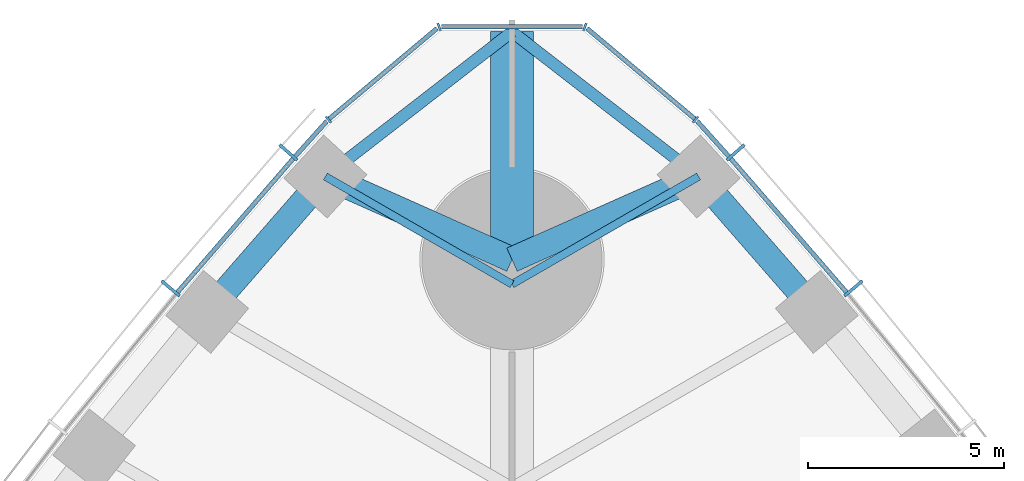
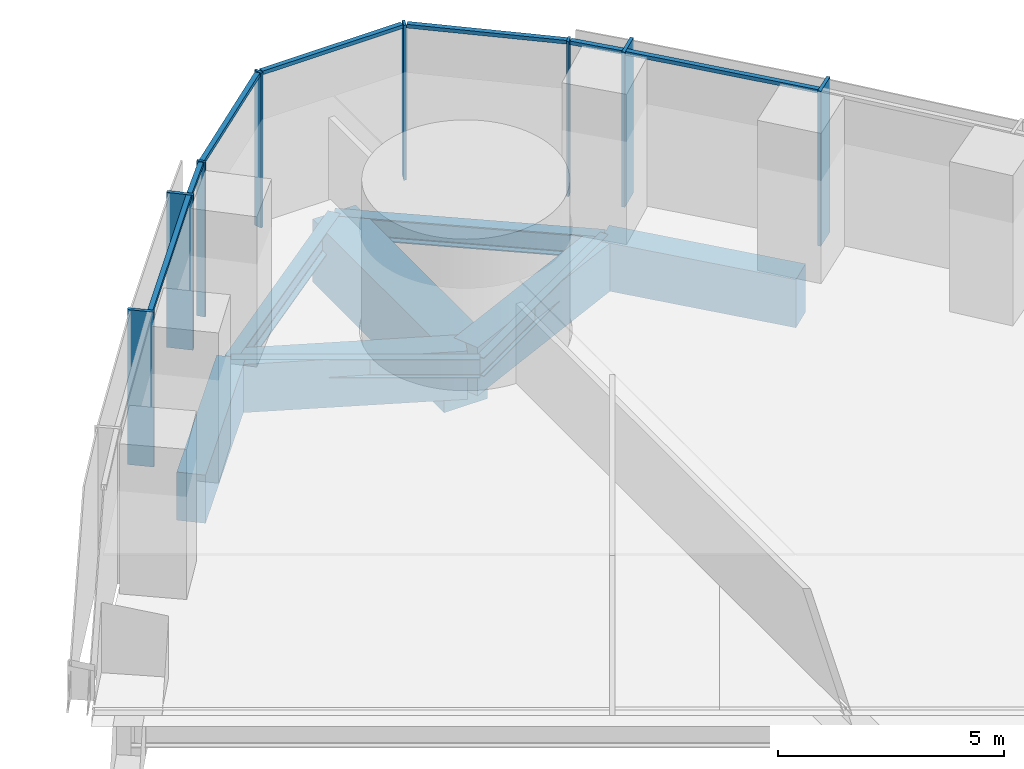
# One storey, part 7 of 18: 15 members, 9 beams, 3 elements without a shape of their own.
"""IFC4 building model written with IfcOpenShell, lengths in metres."""

import ifcopenshell
import ifcopenshell.guid

model = None  # the IFC model being written
_history = None  # IfcOwnerHistory: only IFC2X3 demands one
_inside = {}  # id of a spatial element -> (the spatial element, [elements in it])
_under = {}  # id of a project, library or spatial element -> (it, [spatial elements below it])
_declared = {}  # id of a project -> (the project, [libraries it declares])
_typed = {}  # id of a type object -> (the type object, [elements of that type])
_made_of = {}  # id of a material, layer set ... -> (it, [elements and type objects made of it])


def new_model(schema):
    """Start an empty IFC model of exactly this schema.

    Asked for "IFC4X3", IfcOpenShell would pick the latest addendum, in which some entities
    have other attributes; the version numbers below select the first issue.
    IFC2X3 requires an IfcOwnerHistory on every rooted entity: one is made here for all.
    """
    global model, _history
    if schema == "IFC4X3":
        model = ifcopenshell.file(schema_version=(4, 3, 0, 0))
    else:
        model = ifcopenshell.file(schema=schema)
    _inside.clear()
    _under.clear()
    _declared.clear()
    _typed.clear()
    _made_of.clear()
    _history = None
    if model.schema == "IFC2X3":
        org = make("IfcOrganization", Name="unknown")
        user = make(
            "IfcPersonAndOrganization",
            ThePerson=make("IfcPerson", FamilyName="unknown"),
            TheOrganization=org,
        )
        app = make(
            "IfcApplication",
            ApplicationDeveloper=org,
            Version="unknown",
            ApplicationFullName="unknown",
            ApplicationIdentifier="unknown",
        )
        _history = make(
            "IfcOwnerHistory",
            OwningUser=user,
            OwningApplication=app,
            ChangeAction="ADDED",
            CreationDate=0,
        )
    return model


def make(cls, **values):
    """One entity of the class cls with the attributes given. An attribute that is None is left unset."""
    return model.create_entity(
        cls, **{name: value for name, value in values.items() if value is not None}
    )


def rooted(cls, **values):
    """An entity with a GlobalId (a new one), such as an element, a storey or a relation."""
    return make(cls, GlobalId=ifcopenshell.guid.new(), OwnerHistory=_history, **values)


def si_unit(unit_type, name, prefix=None):
    """IfcSIUnit, for example si_unit("LENGTHUNIT", "METRE", prefix="MILLI")."""
    return make("IfcSIUnit", UnitType=unit_type, Prefix=prefix, Name=name)


def assignment(units):
    """IfcUnitAssignment: the units of a project."""
    return None if units is None else make("IfcUnitAssignment", Units=units)


def point(xyz):
    """IfcCartesianPoint."""
    return None if xyz is None else make("IfcCartesianPoint", Coordinates=xyz)


def direction(xyz):
    """IfcDirection."""
    return None if xyz is None else make("IfcDirection", DirectionRatios=xyz)


def frame(location, z_axis=None, x_axis=None):
    """IfcAxis2Placement3D, a coordinate frame: its origin and axes. An axis left out is left unset."""
    return make(
        "IfcAxis2Placement3D",
        Location=point(location),
        Axis=direction(z_axis),
        RefDirection=direction(x_axis),
    )


def frame_2d(location, x_axis=None):
    """IfcAxis2Placement2D, a coordinate frame in the plane: its origin and x axis."""
    return make(
        "IfcAxis2Placement2D", Location=point(location), RefDirection=direction(x_axis)
    )


def origin():
    """The frame at (0, 0, 0) with its axes left unset."""
    return frame((0.0, 0.0, 0.0))


def origin_2d():
    """The frame at (0, 0) in the plane with its x axis left unset."""
    return frame_2d((0.0, 0.0))


def place(relative_to, where):
    """IfcLocalPlacement: puts the frame where relative to a parent placement (None: the world)."""
    return make(
        "IfcLocalPlacement", PlacementRelTo=relative_to, RelativePlacement=where
    )


def context(
    kind, dimensions, precision=None, world=None, true_north=None, identifier=None
):
    """IfcGeometricRepresentationContext, for example the 3D "Model" context."""
    return make(
        "IfcGeometricRepresentationContext",
        ContextIdentifier=identifier,
        ContextType=kind,
        CoordinateSpaceDimension=dimensions,
        Precision=precision,
        WorldCoordinateSystem=world,
        TrueNorth=true_north,
    )


def subcontext(parent, identifier, kind, view, scale=None):
    """IfcGeometricRepresentationSubContext, for example "Body" below "Model"."""
    return make(
        "IfcGeometricRepresentationSubContext",
        ContextIdentifier=identifier,
        ContextType=kind,
        ParentContext=parent,
        TargetScale=scale,
        TargetView=view,
    )


def project(units=None, contexts=None):
    """IfcProject with its units and contexts."""
    return rooted(
        "IfcProject",
        Name="project",
        RepresentationContexts=contexts,
        UnitsInContext=assignment(units),
    )


def spatial(cls, under=None, at=None, **own):
    """A site, building, storey or space (cls), placed at a placement, below another one or the project."""
    s = rooted(cls, ObjectPlacement=at, **own)
    if under is not None:
        _under.setdefault(under.id(), (under, []))[1].append(s)
    return s


def profile(cls, at=None, kind="AREA", **sizes):
    """A parametric profile (cls). Its sizes go by their IFC names, for example OverallWidth=200.0."""
    return make(cls, ProfileType=kind, Position=at, **sizes)


def rectangle(**sizes):
    """IfcRectangleProfileDef."""
    return profile("IfcRectangleProfileDef", **sizes)


def i_section(**sizes):
    """IfcIShapeProfileDef."""
    return profile("IfcIShapeProfileDef", **sizes)


def extrude(swept, where, along, depth):
    """IfcExtrudedAreaSolid: the profile swept, set in the frame where, extruded along a direction by depth."""
    return make(
        "IfcExtrudedAreaSolid",
        SweptArea=swept,
        Position=where,
        ExtrudedDirection=direction(along),
        Depth=depth,
    )


def shape(context_of_items, identifier, shape_type, items):
    """IfcShapeRepresentation: the items that make up one representation, for example the "Body"."""
    return make(
        "IfcShapeRepresentation",
        ContextOfItems=context_of_items,
        RepresentationIdentifier=identifier,
        RepresentationType=shape_type,
        Items=items,
    )


def material(Name=None, Category=None):
    """IfcMaterial."""
    return make("IfcMaterial", Name=Name, Category=Category)


def material_profile(
    of_material, cross_section, Name=None, Category=None, Priority=None
):
    """IfcMaterialProfile: a cross section and its material."""
    return make(
        "IfcMaterialProfile",
        Name=Name,
        Material=of_material,
        Profile=cross_section,
        Priority=Priority,
        Category=Category,
    )


def profile_set(profiles, Name=None, composite=None):
    """IfcMaterialProfileSet."""
    return make(
        "IfcMaterialProfileSet",
        Name=Name,
        MaterialProfiles=profiles,
        CompositeProfile=composite,
    )


def made_of(thing, what):
    """Note that an element or type object is made of a material, layer set ...; save() writes the relation."""
    if what is not None:
        _made_of.setdefault(what.id(), (what, []))[1].append(thing)
    return thing


def type_object(cls, material=None, **own):
    """A type object (cls), such as IfcWallType, which elements share."""
    return made_of(rooted(cls, **own), material)


def element(
    cls,
    number,
    at=None,
    inside=None,
    cuts=None,
    type_object=None,
    material=None,
    context=None,
    identifier="Body",
    shape_type=None,
    held_by="IfcProductDefinitionShape",
    body=None,
    shapes=None,
    **own,
):
    """One element of the class cls, such as IfcWall. Its Tag is "e" and its number.

    at: its placement. inside: the storey or other place that contains it. cuts: it is an
    opening in that element (IfcRelVoidsElement). A single representation is given by context,
    identifier, shape_type and body (its items); several are given by shapes. held_by: the class
    of the entity that holds the representations. save() writes the other relations.
    """
    e = rooted(cls, Tag="e%d" % number, ObjectPlacement=at, **own)
    if body is not None:
        shapes = [shape(context, identifier, shape_type, body)]
    if shapes is not None:
        e.Representation = make(held_by, Representations=shapes)
    if inside is not None:
        _inside.setdefault(inside.id(), (inside, []))[1].append(e)
    if cuts is not None:
        rooted(
            "IfcRelVoidsElement", RelatingBuildingElement=cuts, RelatedOpeningElement=e
        )
    if type_object is not None:
        _typed.setdefault(type_object.id(), (type_object, []))[1].append(e)
    return made_of(e, material)


def aggregate(whole, parts):
    """IfcRelAggregates: a whole, such as a stair, and the parts it consists of."""
    return rooted("IfcRelAggregates", RelatingObject=whole, RelatedObjects=parts)


def save(model, path):
    """Write the relations noted so far, then the file.

    IfcRelAggregates (storeys below a building ...), IfcRelContainedInSpatialStructure (elements
    in a storey), IfcRelDefinesByType, IfcRelAssociatesMaterial and IfcRelDeclares: one each for
    every whole, place, type object, material and project.
    """
    for whole, parts in _under.values():
        aggregate(whole, parts)
    for where, things in _inside.values():
        rooted(
            "IfcRelContainedInSpatialStructure",
            RelatedElements=things,
            RelatingStructure=where,
        )
    for kind, things in _typed.values():
        rooted("IfcRelDefinesByType", RelatedObjects=things, RelatingType=kind)
    for what, things in _made_of.values():
        rooted("IfcRelAssociatesMaterial", RelatedObjects=things, RelatingMaterial=what)
    for by, libraries in _declared.values():
        rooted("IfcRelDeclares", RelatingContext=by, RelatedDefinitions=libraries)
    model.write(path)


model = new_model("IFC4")

# Units and contexts
model_context = context("Model", 3, precision=1e-05, world=origin(), true_north=direction((0.0, 1.0)))
body_context = subcontext(model_context, "Body", "Model", "MODEL_VIEW")
ifc_project = project(units=[si_unit("LENGTHUNIT", "METRE"), si_unit("AREAUNIT", "SQUARE_METRE"), si_unit("VOLUMEUNIT", "CUBIC_METRE"), si_unit("PLANEANGLEUNIT", "RADIAN"), si_unit("MASSUNIT", "GRAM", prefix="KILO")], contexts=[model_context])

# Site, building, storey
site_placement = place(None, origin())
site = spatial("IfcSite", under=ifc_project, at=site_placement, CompositionType="ELEMENT")
building_placement = place(site_placement, origin())
building = spatial("IfcBuilding", under=site, at=building_placement, Name="Trefoil Bronze Tower", CompositionType="ELEMENT")
storey_placement = place(building_placement, frame((0.0, 0.0, 54.300048828125)))
storey = spatial("IfcBuildingStorey", under=building, at=storey_placement, Name="L12", CompositionType="ELEMENT", Elevation=54.300048828125)

# Curtain wall, members
ifc_material_1 = material(Name="Tinted solar-control glass", Category="glass")
curtain_wall_type_1 = type_object("IfcCurtainWallType", Name="Bronze office curtain wall", PredefinedType="USERDEFINED", material=ifc_material_1)
curtain_wall_1_placement = place(storey_placement, origin())
curtain_wall_1 = element("IfcCurtainWall", 1, at=curtain_wall_1_placement, inside=storey, type_object=curtain_wall_type_1, Name="CW-A L12 F2", ObjectType="CURTAIN WALL", PredefinedType="USERDEFINED")
ifc_material_2 = material(Name="Bronze-finish aluminium", Category="aluminium")
ifc_material_profile_1 = material_profile(ifc_material_2, rectangle(XDim=0.60009765625, YDim=0.080078125, at=origin_2d()), Name="CW-A mullion")
ifc_profile_set_1 = profile_set([ifc_material_profile_1], Name="Bronze-finish aluminium")
member_type_1 = type_object("IfcMemberType", Name="Bronze office curtain wall mullion", PredefinedType="MULLION", material=ifc_profile_set_1)
member_1_placement = place(storey_placement, frame((8.709716796875, 36.265869140625, 0.0), z_axis=(0.0, 0.0, 1.0), x_axis=(-0.765729101889, -0.643163231629, 0.0)))
member_1 = element("IfcMember", 2, at=member_1_placement, type_object=member_type_1, Name="CW-A L12 F2 mullion 15", PredefinedType="MULLION", context=body_context, shape_type="SweptSolid", body=[
    extrude(rectangle(XDim=0.60009765625, YDim=0.080078125, at=origin_2d()), origin(), (0.0, 0.0, 1.0), 4.179931640625),
])
member_2_placement = place(storey_placement, frame((5.70654296875, 39.736328125, 0.0), z_axis=(0.0, 0.0, 1.0), x_axis=(-0.7499405861, -0.661505190698, 0.0)))
member_2 = element("IfcMember", 3, at=member_2_placement, type_object=member_type_1, Name="CW-A L12 F2 mullion 16", PredefinedType="MULLION", context=body_context, shape_type="SweptSolid", body=[
    extrude(rectangle(XDim=0.60009765625, YDim=0.080078125, at=origin_2d()), origin(), (0.0, 0.0, 1.0), 4.179931640625),
])

curtain_wall_2_placement = place(storey_placement, origin())
curtain_wall_2 = element("IfcCurtainWall", 4, at=curtain_wall_2_placement, inside=storey, type_object=curtain_wall_type_1, Name="CW-A L12 F3", ObjectType="CURTAIN WALL", PredefinedType="USERDEFINED")
member_3_placement = place(storey_placement, frame((-5.70654296875, 39.736328125, 0.0), z_axis=(0.0, 0.0, 1.0), x_axis=(0.7499405861, -0.661505190698, 0.0)))
member_3 = element("IfcMember", 5, at=member_3_placement, type_object=member_type_1, Name="CW-A L12 F3 mullion 2", PredefinedType="MULLION", context=body_context, shape_type="SweptSolid", body=[
    extrude(rectangle(XDim=0.60009765625, YDim=0.080078125, at=origin_2d()), origin(), (0.0, 0.0, 1.0), 4.179931640625),
])
member_4_placement = place(storey_placement, frame((-8.709716796875, 36.265869140625, 0.0), z_axis=(0.0, 0.0, 1.0), x_axis=(0.765729101889, -0.643163231629, 0.0)))
member_4 = element("IfcMember", 6, at=member_4_placement, type_object=member_type_1, Name="CW-A L12 F3 mullion 3", PredefinedType="MULLION", context=body_context, shape_type="SweptSolid", body=[
    extrude(rectangle(XDim=0.60009765625, YDim=0.080078125, at=origin_2d()), origin(), (0.0, 0.0, 1.0), 4.179931640625),
])

# Member
ifc_material_3 = material(Name="Bronze-finish aluminium", Category="aluminium")
ifc_material_profile_2 = material_profile(ifc_material_3, rectangle(XDim=0.1201171875, YDim=0.10009765625, at=origin_2d()), Name="CW-A transom")
ifc_profile_set_2 = profile_set([ifc_material_profile_2], Name="Bronze-finish aluminium")
member_type_2 = type_object("IfcMemberType", Name="Bronze office curtain wall transom", PredefinedType="USERDEFINED", material=ifc_profile_set_2)
member_5_placement = place(storey_placement, frame((8.529541015625, 36.16845703125, 4.1298828125), z_axis=(-0.654383303203, 0.75616300656, 0.0), x_axis=(-0.75616300656, -0.654383303203, 0.0)))
member_5 = element("IfcMember", 7, at=member_5_placement, type_object=member_type_2, Name="CW-A L12 F2 transom 15", ObjectType="TRANSOM", PredefinedType="USERDEFINED", context=body_context, shape_type="SweptSolid", body=[
    extrude(rectangle(XDim=0.1201171875, YDim=0.10009765625, at=origin_2d()), origin(), (0.0, 0.0, 1.0), 4.50244140625),
])

member_6_placement = place(storey_placement, frame((5.529052734375, 39.634521484375, 4.1298828125), z_axis=(-0.66858567461, 0.743635122695, 0.0), x_axis=(-0.743635122695, -0.66858567461, 0.0)))
member_6 = element("IfcMember", 8, at=member_6_placement, type_object=member_type_2, Name="CW-A L12 F2 transom 16", ObjectType="TRANSOM", PredefinedType="USERDEFINED", context=body_context, shape_type="SweptSolid", body=[
    extrude(rectangle(XDim=0.1201171875, YDim=0.10009765625, at=origin_2d()), origin(), (0.0, 0.0, 1.0), 1.210205078125),
])

aggregate(curtain_wall_1, [member_1, member_2, member_5, member_6])

member_7_placement = place(storey_placement, frame((-4.719970703125, 40.534423828125, 4.1298828125), z_axis=(-0.66858567461, -0.743635122695, 0.0), x_axis=(0.743635122695, -0.66858567461, 0.0)))
member_7 = element("IfcMember", 9, at=member_7_placement, type_object=member_type_2, Name="CW-A L12 F3 transom 1", ObjectType="TRANSOM", PredefinedType="USERDEFINED", context=body_context, shape_type="SweptSolid", body=[
    extrude(rectangle(XDim=0.1201171875, YDim=0.10009765625, at=origin_2d()), origin(), (0.0, 0.0, 1.0), 1.210205078125),
])

member_8_placement = place(storey_placement, frame((-5.583251953125, 39.572998046875, 4.1298828125), z_axis=(-0.654383303203, -0.75616300656, 0.0), x_axis=(0.75616300656, -0.654383303203, 0.0)))
member_8 = element("IfcMember", 10, at=member_8_placement, type_object=member_type_2, Name="CW-A L12 F3 transom 2", ObjectType="TRANSOM", PredefinedType="USERDEFINED", context=body_context, shape_type="SweptSolid", body=[
    extrude(rectangle(XDim=0.1201171875, YDim=0.10009765625, at=origin_2d()), origin(), (0.0, 0.0, 1.0), 4.50244140625),
])

aggregate(curtain_wall_2, [member_3, member_4, member_7, member_8])

# Curtain wall, members
ifc_material_4 = material(Name="Tinted solar-control glass", Category="glass")
curtain_wall_type_2 = type_object("IfcCurtainWallType", Name="Bronze rounded corner curtain wall", PredefinedType="USERDEFINED", material=ifc_material_4)
curtain_wall_3_placement = place(storey_placement, origin())
curtain_wall_3 = element("IfcCurtainWall", 11, at=curtain_wall_3_placement, inside=storey, type_object=curtain_wall_type_2, Name="CW-B L12 K2", ObjectType="CURTAIN WALL", PredefinedType="USERDEFINED")
ifc_material_5 = material(Name="Bronze-finish aluminium", Category="aluminium")
ifc_material_profile_3 = material_profile(ifc_material_5, rectangle(XDim=0.199951171875, YDim=0.06005859375, at=origin_2d()), Name="CW-B mullion")
ifc_profile_set_3 = profile_set([ifc_material_profile_3], Name="Bronze-finish aluminium")
member_type_3 = type_object("IfcMemberType", Name="Bronze rounded corner curtain wall mullion", PredefinedType="MULLION", material=ifc_profile_set_3)
member_9_placement = place(storey_placement, frame((4.68310546875, 40.573974609375, 0.0), z_axis=(0.0, 0.0, 1.0), x_axis=(-0.642787609687, -0.766044443119, 0.0)))
member_9 = element("IfcMember", 12, at=member_9_placement, type_object=member_type_3, Name="CW-B L12 K2 mullion 1", PredefinedType="MULLION", context=body_context, shape_type="SweptSolid", body=[
    extrude(rectangle(XDim=0.199951171875, YDim=0.06005859375, at=origin_2d()), origin(), (0.0, 0.0, 1.0), 4.179931640625),
])
member_10_placement = place(storey_placement, frame((1.8583984375, 42.9365234375, 0.0), z_axis=(0.0, 0.0, 1.0), x_axis=(-0.342020143326, -0.939692620786, 0.0)))
member_10 = element("IfcMember", 13, at=member_10_placement, type_object=member_type_3, Name="CW-B L12 K2 mullion 2", PredefinedType="MULLION", context=body_context, shape_type="SweptSolid", body=[
    extrude(rectangle(XDim=0.199951171875, YDim=0.06005859375, at=origin_2d()), origin(), (0.0, 0.0, 1.0), 4.179931640625),
])
member_11_placement = place(storey_placement, frame((-1.8583984375, 42.9365234375, 0.0), z_axis=(0.0, 0.0, 1.0), x_axis=(0.342020143326, -0.939692620786, 0.0)))
member_11 = element("IfcMember", 14, at=member_11_placement, type_object=member_type_3, Name="CW-B L12 K2 mullion 3", PredefinedType="MULLION", context=body_context, shape_type="SweptSolid", body=[
    extrude(rectangle(XDim=0.199951171875, YDim=0.06005859375, at=origin_2d()), origin(), (0.0, 0.0, 1.0), 4.179931640625),
])
member_12_placement = place(storey_placement, frame((-4.68310546875, 40.573974609375, 0.0), z_axis=(0.0, 0.0, 1.0), x_axis=(0.642787609687, -0.766044443119, 0.0)))
member_12 = element("IfcMember", 15, at=member_12_placement, type_object=member_type_3, Name="CW-B L12 K2 mullion 4", PredefinedType="MULLION", context=body_context, shape_type="SweptSolid", body=[
    extrude(rectangle(XDim=0.199951171875, YDim=0.06005859375, at=origin_2d()), origin(), (0.0, 0.0, 1.0), 4.179931640625),
])
ifc_material_6 = material(Name="Bronze-finish aluminium", Category="aluminium")
ifc_material_profile_4 = material_profile(ifc_material_6, rectangle(XDim=0.1201171875, YDim=0.10009765625, at=origin_2d()), Name="CW-B transom")
ifc_profile_set_4 = profile_set([ifc_material_profile_4], Name="Bronze-finish aluminium")
member_type_4 = type_object("IfcMemberType", Name="Bronze rounded corner curtain wall transom", PredefinedType="USERDEFINED", material=ifc_profile_set_4)
member_13_placement = place(storey_placement, frame((4.66015625, 40.59326171875, 4.1298828125), z_axis=(-0.766058606238, 0.642770730361, 0.0), x_axis=(-0.642770730361, -0.766058606238, 0.0)))
member_13 = element("IfcMember", 16, at=member_13_placement, type_object=member_type_4, Name="CW-B L12 K2 transom 1", ObjectType="TRANSOM", PredefinedType="USERDEFINED", context=body_context, shape_type="SweptSolid", body=[
    extrude(rectangle(XDim=0.1201171875, YDim=0.10009765625, at=origin_2d()), origin(), (0.0, 0.0, 1.0), 3.588134765625),
])
member_14_placement = place(storey_placement, frame((1.794189453125, 42.9423828125, 4.1298828125), z_axis=(-1.0, 0.0, 0.0), x_axis=(0.0, -1.0, 0.0)))
member_14 = element("IfcMember", 17, at=member_14_placement, type_object=member_type_4, Name="CW-B L12 K2 transom 2", ObjectType="TRANSOM", PredefinedType="USERDEFINED", context=body_context, shape_type="SweptSolid", body=[
    extrude(rectangle(XDim=0.1201171875, YDim=0.10009765625, at=origin_2d()), origin(), (0.0, 0.0, 1.0), 3.58837890625),
])
member_15_placement = place(storey_placement, frame((-1.911376953125, 42.899658203125, 4.1298828125), z_axis=(-0.766058606238, -0.642770730361, 0.0), x_axis=(0.642770730361, -0.766058606238, 0.0)))
member_15 = element("IfcMember", 18, at=member_15_placement, type_object=member_type_4, Name="CW-B L12 K2 transom 3", ObjectType="TRANSOM", PredefinedType="USERDEFINED", context=body_context, shape_type="SweptSolid", body=[
    extrude(rectangle(XDim=0.1201171875, YDim=0.10009765625, at=origin_2d()), origin(), (0.0, 0.0, 1.0), 3.588134765625),
])
aggregate(curtain_wall_3, [member_9, member_10, member_11, member_12, member_13, member_14, member_15])

# Beams
ifc_material_7 = material(Name="Concrete B80", Category="concrete")
ifc_material_profile_5 = material_profile(ifc_material_7, rectangle(XDim=1.10009765625, YDim=1.699951171875, at=origin_2d()), Name="RC 1100x1700")
ifc_profile_set_5 = profile_set([ifc_material_profile_5], Name="Concrete B80")
beam_type_1 = type_object("IfcBeamType", Name="Corner cantilever RC 1100x1700", PredefinedType="BEAM", material=ifc_profile_set_5)
beam_placement = place(storey_placement, frame((0.0, 37.0, -1.050048828125), z_axis=(0.0, 1.0, 0.0), x_axis=(-1.0, 0.0, 0.0)))
element("IfcBeam", 19, at=beam_placement, inside=storey, type_object=beam_type_1, Name="Corner cantilever K2 L12", PredefinedType="BEAM", context=body_context, shape_type="SweptSolid", body=[
    extrude(rectangle(XDim=1.10009765625, YDim=1.699951171875, at=origin_2d()), origin(), (0.0, 0.0, 1.0), 5.814208984375),
])
ifc_material_8 = material(Name="Steel C355", Category="steel")
ifc_material_profile_6 = material_profile(ifc_material_8, i_section(OverallWidth=0.300048828125, OverallDepth=0.60009765625, WebThickness=0.015380859375, FlangeThickness=0.030029296875, FilletRadius=0.027099609375, at=origin_2d()), Name="HEB 600")
ifc_profile_set_6 = profile_set([ifc_material_profile_6], Name="Steel C355")
beam_type_2 = type_object("IfcBeamType", Name="Corner edge beam HEB 600", PredefinedType="BEAM", material=ifc_profile_set_6)
for number, where, z_axis, x_axis, name in (
    (20, (4.76171875, 39.122314453125, -0.5), (-0.790289474622, 0.612733666696, 0.0), (-0.612733666696, -0.790289474622, 0.0), "Corner edge beam F2A L12"),
    (21, (-4.76171875, 39.122314453125, -0.5), (0.790289474622, 0.612733666696, 0.0), (-0.612733666696, 0.790289474622, 0.0), "Corner edge beam F3B L12"),
):
    element("IfcBeam", number, at=place(storey_placement, frame(where, z_axis=z_axis, x_axis=x_axis)), inside=storey, type_object=beam_type_2, Name=name, PredefinedType="BEAM", context=body_context, shape_type="SweptSolid", body=[
        extrude(i_section(OverallWidth=0.300048828125, OverallDepth=0.60009765625, WebThickness=0.015380859375, FlangeThickness=0.030029296875, FilletRadius=0.027099609375, at=origin_2d()), origin(), (0.0, 0.0, 1.0), 6.025390625),
    ])
ifc_material_9 = material(Name="Concrete B80", Category="concrete")
ifc_material_profile_7 = material_profile(ifc_material_9, rectangle(XDim=0.64990234375, YDim=1.300048828125, at=origin_2d()), Name="RC 650x1300")
ifc_profile_set_7 = profile_set([ifc_material_profile_7], Name="Concrete B80")
beam_type_3 = type_object("IfcBeamType", Name="End spandrel beam RC 650x1300", PredefinedType="SPANDREL", material=ifc_profile_set_7)
for number, where, z_axis, x_axis, name in (
    (22, (4.76171875, 39.122314453125, -0.85009765625), (-0.913384257879, -0.407098510754, 0.0), (0.407098510754, -0.913384257879, 0.0), "Spandrel F2.16 L12"),
    (23, (0.0, 37.0, -0.85009765625), (-0.913384257879, 0.407098510754, 0.0), (-0.407098510754, -0.913384257879, 0.0), "Spandrel F3.1 L12"),
):
    element("IfcBeam", number, at=place(storey_placement, frame(where, z_axis=z_axis, x_axis=x_axis)), inside=storey, type_object=beam_type_3, Name=name, PredefinedType="SPANDREL", context=body_context, shape_type="SweptSolid", body=[
        extrude(rectangle(XDim=0.64990234375, YDim=1.300048828125, at=origin_2d()), origin(), (0.0, 0.0, 1.0), 5.21337890625),
    ])
ifc_material_10 = material(Name="Steel C355", Category="steel")
ifc_material_profile_8 = material_profile(ifc_material_10, i_section(OverallWidth=0.199951171875, OverallDepth=0.5, WebThickness=0.01025390625, FlangeThickness=0.01611328125, FilletRadius=0.02099609375, at=origin_2d()), Name="IPE 500")
ifc_profile_set_8 = profile_set([ifc_material_profile_8], Name="Steel C355")
beam_type_4 = type_object("IfcBeamType", Name="Floor beam IPE 500", PredefinedType="BEAM", material=ifc_profile_set_8)
for number, where, z_axis, x_axis, name in (
    (24, (4.76171875, 39.122314453125, -0.449951171875), (-0.866018475376, -0.500012000164, 0.0), (0.500012000164, -0.866018475376, 0.0), "Floor beam F2/+7 L12"),
    (25, (-4.76171875, 39.122314453125, -0.449951171875), (0.866018475376, -0.500012000164, 0.0), (0.500012000164, 0.866018475376, 0.0), "Floor beam F3/-7 L12"),
):
    element("IfcBeam", number, at=place(storey_placement, frame(where, z_axis=z_axis, x_axis=x_axis)), inside=storey, type_object=beam_type_4, Name=name, PredefinedType="BEAM", context=body_context, shape_type="SweptSolid", body=[
        extrude(i_section(OverallWidth=0.199951171875, OverallDepth=0.5, WebThickness=0.01025390625, FlangeThickness=0.01611328125, FilletRadius=0.02099609375, at=origin_2d()), origin(), (0.0, 0.0, 1.0), 5.498291015625),
    ])
ifc_material_11 = material(Name="Concrete B80", Category="concrete")
ifc_material_profile_9 = material_profile(ifc_material_11, rectangle(XDim=0.64990234375, YDim=1.300048828125, at=origin_2d()), Name="RC 650x1300")
ifc_profile_set_9 = profile_set([ifc_material_profile_9], Name="Concrete B80")
beam_type_5 = type_object("IfcBeamType", Name="Spandrel beam RC 650x1300", PredefinedType="SPANDREL", material=ifc_profile_set_9)
for number, where, z_axis, x_axis, name in (
    (26, (7.7763671875, 35.666748046875, -0.85009765625), (-0.657395767989, 0.753545489158, 0.0), (-0.753545489158, -0.657395767989, 0.0), "Spandrel F2.15 L12"),
    (27, (-4.76171875, 39.122314453125, -0.85009765625), (-0.657395767989, -0.753545489158, 0.0), (0.753545489158, -0.657395767989, 0.0), "Spandrel F3.2 L12"),
):
    element("IfcBeam", number, at=place(storey_placement, frame(where, z_axis=z_axis, x_axis=x_axis)), inside=storey, type_object=beam_type_5, Name=name, PredefinedType="SPANDREL", context=body_context, shape_type="SweptSolid", body=[
        extrude(rectangle(XDim=0.64990234375, YDim=1.300048828125, at=origin_2d()), origin(), (0.0, 0.0, 1.0), 4.585693359375),
    ])

save(model, "model.ifc")
